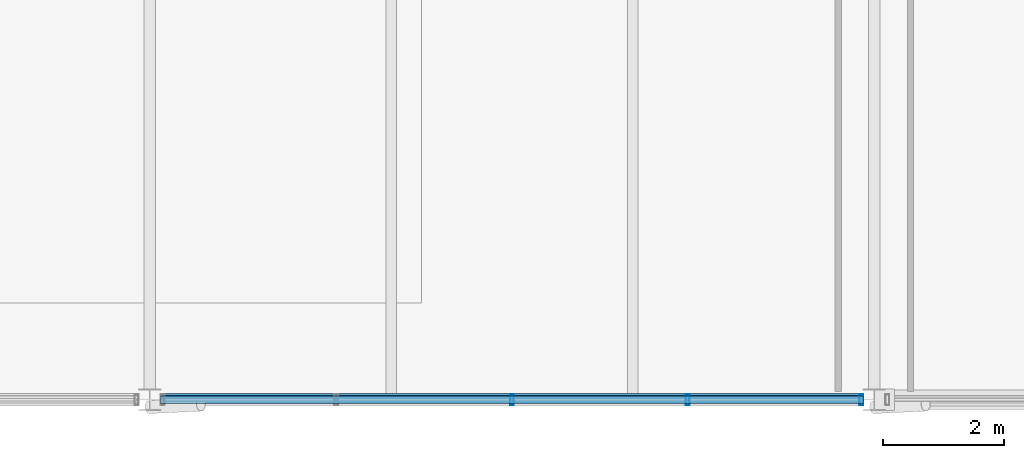
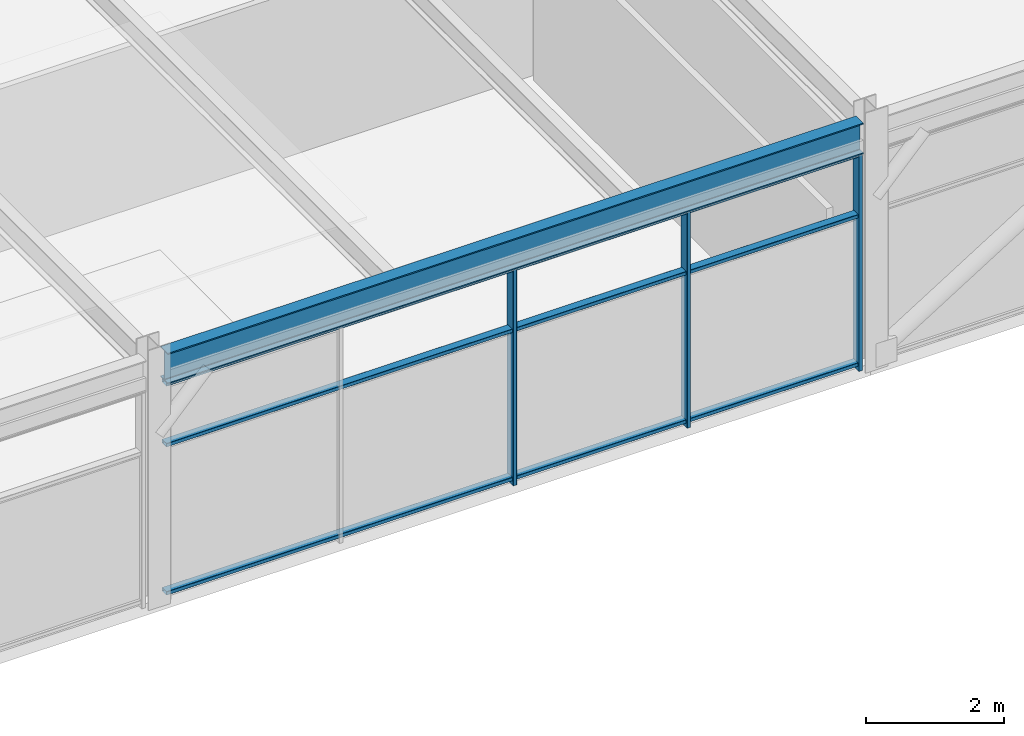
# One storey, part 14 of 28: 6 members, 1 beam, 1 element without a shape of its own.
"""IFC4 building model written with IfcOpenShell, lengths in metres."""

from ifc_helpers import new_model, si_unit, direction, frame, origin, origin_2d, place, context, subcontext, project, spatial, hollow_rectangle, i_section, extrude, material, material_profile, profile_set, type_object, element, aggregate, save


model = new_model("IFC4")

# Units and contexts
model_context = context("Model", 3, precision=1e-05, world=origin(), true_north=direction((0.0, 1.0)))
body_context = subcontext(model_context, "Body", "Model", "MODEL_VIEW")
ifc_project = project(units=[si_unit("LENGTHUNIT", "METRE"), si_unit("AREAUNIT", "SQUARE_METRE"), si_unit("VOLUMEUNIT", "CUBIC_METRE"), si_unit("PLANEANGLEUNIT", "RADIAN"), si_unit("MASSUNIT", "GRAM", prefix="KILO")], contexts=[model_context])

# Site, building, storey
site_placement = place(None, origin())
site = spatial("IfcSite", under=ifc_project, at=site_placement, CompositionType="ELEMENT")
building_placement = place(site_placement, origin())
building = spatial("IfcBuilding", under=site, at=building_placement, Name="Girod Span Mobility Hub", CompositionType="ELEMENT")
storey_placement = place(building_placement, frame((0.0, 0.0, 69.60009765625)))
storey = spatial("IfcBuildingStorey", under=building, at=storey_placement, Name="L17", CompositionType="ELEMENT", Elevation=69.60009765625)

# Beam
ifc_material_1 = material(Name="Steel A992 Grade 50", Category="steel")
ifc_material_profile_1 = material_profile(ifc_material_1, i_section(OverallWidth=0.2119140625, OverallDepth=0.5439453125, WebThickness=0.01318359375, FlangeThickness=0.021240234375, FilletRadius=0.014892578125, at=origin_2d()), Name="W21X83")
ifc_profile_set_1 = profile_set([ifc_material_profile_1], Name="Steel A992 Grade 50")
beam_type = type_object("IfcBeamType", Name="BM-STL-W21X83", PredefinedType="SPANDREL", material=ifc_profile_set_1)
beam_placement = place(storey_placement, frame((84.181396484375, 45.0, 4.10791015625), z_axis=(1.0, 0.0, 0.0), x_axis=(0.0, 1.0, 0.0)))
element("IfcBeam", 1, at=beam_placement, inside=storey, type_object=beam_type, Name="Girder 8-9/D L17", PredefinedType="SPANDREL", context=body_context, shape_type="SweptSolid", body=[
    extrude(i_section(OverallWidth=0.2119140625, OverallDepth=0.5439453125, WebThickness=0.01318359375, FlangeThickness=0.021240234375, FilletRadius=0.014892578125, at=origin_2d()), origin(), (0.0, 0.0, 1.0), 11.63720703125),
])

# Curtain wall, members
ifc_material_2 = material(Name="Thermally Broken Anodised Aluminium", Category="aluminium")
curtain_wall_type = type_object("IfcCurtainWallType", Name="CW-1164X384", PredefinedType="USERDEFINED", material=ifc_material_2)
curtain_wall_placement = place(storey_placement, origin())
curtain_wall = element("IfcCurtainWall", 2, at=curtain_wall_placement, inside=storey, type_object=curtain_wall_type, Name="Unitised Curtain Wall CW-L17-S08 L17", ObjectType="UNITISED CURTAIN WALL", PredefinedType="USERDEFINED")
ifc_material_3 = material(Name="Thermally Broken Anodised Aluminium", Category="aluminium")
ifc_material_profile_2 = material_profile(ifc_material_3, hollow_rectangle(XDim=0.179931640625, YDim=0.06494140625, WallThickness=0.00390625, InnerFilletRadius=0.00390625, OuterFilletRadius=0.008056640625, at=origin_2d()), Name="CW-ML-65X180")
ifc_profile_set_2 = profile_set([ifc_material_profile_2], Name="Thermally Broken Anodised Aluminium")
member_type_1 = type_object("IfcMemberType", Name="CWM-ML-2", PredefinedType="MULLION", material=ifc_profile_set_2)
member_1_placement = place(storey_placement, frame((90.0, 45.0, 0.0), z_axis=(0.0, 0.0, 1.0), x_axis=(0.0, 1.0, 0.0)))
member_1 = element("IfcMember", 3, at=member_1_placement, type_object=member_type_1, Name="Curtain Wall Mullion CW-L17-S08-M2", PredefinedType="MULLION", context=body_context, shape_type="SweptSolid", body=[
    extrude(hollow_rectangle(XDim=0.179931640625, YDim=0.06494140625, WallThickness=0.00390625, InnerFilletRadius=0.00390625, OuterFilletRadius=0.008056640625, at=origin_2d()), origin(), (0.0, 0.0, 1.0), 3.8359375),
])
member_2_placement = place(storey_placement, frame((92.90869140625, 45.0, 0.0), z_axis=(0.0, 0.0, 1.0), x_axis=(0.0, 1.0, 0.0)))
member_2 = element("IfcMember", 4, at=member_2_placement, type_object=member_type_1, Name="Curtain Wall Mullion CW-L17-S08-M3", PredefinedType="MULLION", context=body_context, shape_type="SweptSolid", body=[
    extrude(hollow_rectangle(XDim=0.179931640625, YDim=0.06494140625, WallThickness=0.00390625, InnerFilletRadius=0.00390625, OuterFilletRadius=0.008056640625, at=origin_2d()), origin(), (0.0, 0.0, 1.0), 3.8359375),
])
member_3_placement = place(storey_placement, frame((95.785400390625, 45.0, 0.0), z_axis=(0.0, 0.0, 1.0), x_axis=(0.0, 1.0, 0.0)))
member_3 = element("IfcMember", 5, at=member_3_placement, type_object=member_type_1, Name="Curtain Wall Mullion CW-L17-S08-M4", PredefinedType="MULLION", context=body_context, shape_type="SweptSolid", body=[
    extrude(hollow_rectangle(XDim=0.179931640625, YDim=0.06494140625, WallThickness=0.00390625, InnerFilletRadius=0.00390625, OuterFilletRadius=0.008056640625, at=origin_2d()), origin(), (0.0, 0.0, 1.0), 3.8359375),
])
ifc_material_4 = material(Name="Thermally Broken Anodised Aluminium", Category="aluminium")
ifc_material_profile_3 = material_profile(ifc_material_4, hollow_rectangle(XDim=0.135009765625, YDim=0.06494140625, WallThickness=0.00390625, InnerFilletRadius=0.00390625, OuterFilletRadius=0.008056640625, at=origin_2d()), Name="CW-TR-65X135")
ifc_profile_set_3 = profile_set([ifc_material_profile_3], Name="Thermally Broken Anodised Aluminium")
member_type_2 = type_object("IfcMemberType", Name="CWM-TR-2", PredefinedType="USERDEFINED", material=ifc_profile_set_3)
member_4_placement = place(storey_placement, frame((84.1826171875, 45.0, 0.107421875), z_axis=(1.0, 0.0, 0.0), x_axis=(0.0, 1.0, 0.0)))
member_4 = element("IfcMember", 6, at=member_4_placement, type_object=member_type_2, Name="Curtain Wall Transom CW-L17-S08-T1", ObjectType="TRANSOM", PredefinedType="USERDEFINED", context=body_context, shape_type="SweptSolid", body=[
    extrude(hollow_rectangle(XDim=0.135009765625, YDim=0.06494140625, WallThickness=0.00390625, InnerFilletRadius=0.00390625, OuterFilletRadius=0.008056640625, at=origin_2d()), origin(), (0.0, 0.0, 1.0), 11.634765625),
])
member_5_placement = place(storey_placement, frame((84.1826171875, 45.0, 2.729248046875), z_axis=(1.0, 0.0, 0.0), x_axis=(0.0, 1.0, 0.0)))
member_5 = element("IfcMember", 7, at=member_5_placement, type_object=member_type_2, Name="Curtain Wall Transom CW-L17-S08-T2", ObjectType="TRANSOM", PredefinedType="USERDEFINED", context=body_context, shape_type="SweptSolid", body=[
    extrude(hollow_rectangle(XDim=0.135009765625, YDim=0.06494140625, WallThickness=0.00390625, InnerFilletRadius=0.00390625, OuterFilletRadius=0.008056640625, at=origin_2d()), origin(), (0.0, 0.0, 1.0), 11.634765625),
])
member_6_placement = place(storey_placement, frame((84.1826171875, 45.0, 3.803466796875), z_axis=(1.0, 0.0, 0.0), x_axis=(0.0, 1.0, 0.0)))
member_6 = element("IfcMember", 8, at=member_6_placement, type_object=member_type_2, Name="Curtain Wall Transom CW-L17-S08-T3", ObjectType="TRANSOM", PredefinedType="USERDEFINED", context=body_context, shape_type="SweptSolid", body=[
    extrude(hollow_rectangle(XDim=0.135009765625, YDim=0.06494140625, WallThickness=0.00390625, InnerFilletRadius=0.00390625, OuterFilletRadius=0.008056640625, at=origin_2d()), origin(), (0.0, 0.0, 1.0), 11.634765625),
])
aggregate(curtain_wall, [member_1, member_2, member_3, member_4, member_5, member_6])

save(model, "model.ifc")
